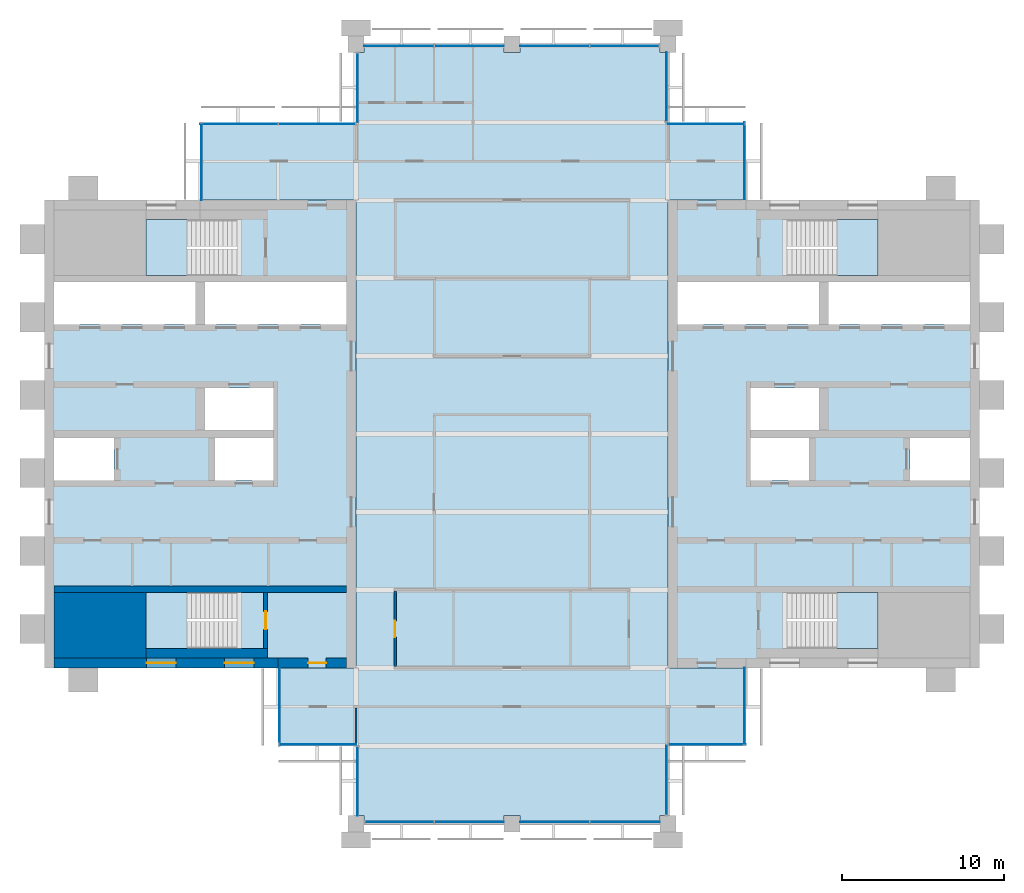
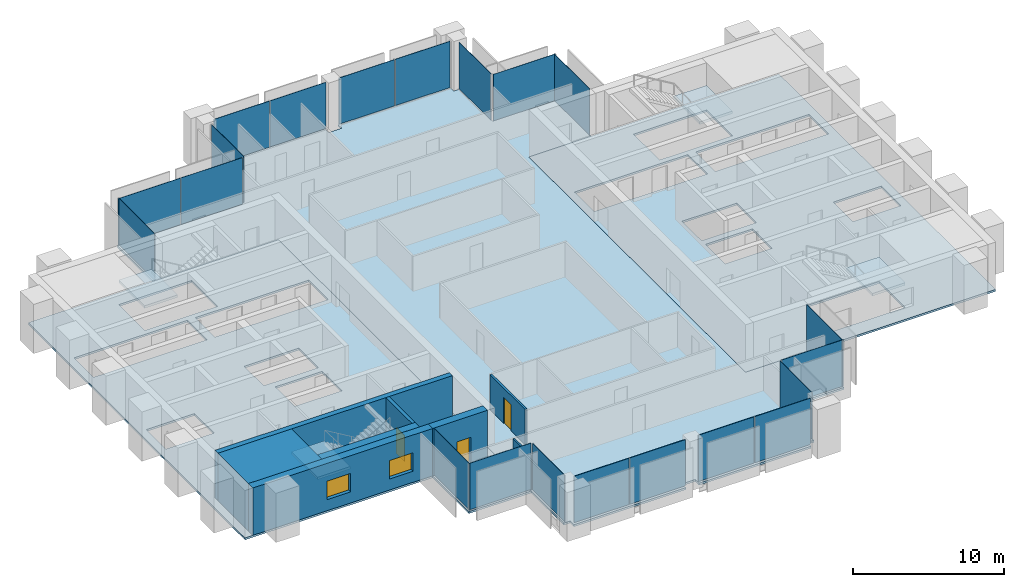
# One storey, part 7 of 12: 21 plates, 8 walls, 7 slabs, 3 doors, 2 windows, 5 openings, 18 elements without a shape of their own.
"""IFC4 building model written with IfcOpenShell, lengths in metres."""

from ifc_helpers import new_model, si_unit, direction, frame, frame_2d, origin, origin_2d, place, context, subcontext, project, spatial, polyline, rectangle, outline, extrude, material, layer, layer_set, type_object, element, fill, aggregate, save


model = new_model("IFC4")

# Units and contexts
model_context = context("Model", 3, precision=1e-05, world=origin(), true_north=direction((0.0, 1.0)))
body_context = subcontext(model_context, "Body", "Model", "MODEL_VIEW")
ifc_project = project(units=[si_unit("LENGTHUNIT", "METRE"), si_unit("AREAUNIT", "SQUARE_METRE"), si_unit("VOLUMEUNIT", "CUBIC_METRE"), si_unit("PLANEANGLEUNIT", "RADIAN"), si_unit("MASSUNIT", "GRAM", prefix="KILO")], contexts=[model_context])

# Site, building, storey
site_placement = place(None, origin())
site = spatial("IfcSite", under=ifc_project, at=site_placement, CompositionType="ELEMENT")
building_placement = place(site_placement, origin())
building = spatial("IfcBuilding", under=site, at=building_placement, Name="Baori Bourse Tower", CompositionType="ELEMENT")
storey_placement = place(building_placement, frame((0.0, 0.0, 286.300048828125)))
storey = spatial("IfcBuildingStorey", under=building, at=storey_placement, Name="L62", CompositionType="ELEMENT", Elevation=286.300048828125)

# Curtain wall, plate
ifc_material_1 = material(Name="Pale anodised aluminium", Category="aluminium")
curtain_wall_type_1 = type_object("IfcCurtainWallType", Name="CW2 Curtain wall", PredefinedType="NOTDEFINED", material=ifc_material_1)
curtain_wall_1_placement = place(storey_placement, origin())
curtain_wall_1 = element("IfcCurtainWall", 1, at=curtain_wall_1_placement, inside=storey, type_object=curtain_wall_type_1, Name="Curtain wall CW2 L62 1", PredefinedType="NOTDEFINED")
ifc_material_2 = material(Name="Clear glass", Category="glass")
ifc_layer_1 = layer(ifc_material_2, 0.030029296875)
ifc_layer_set_1 = layer_set([ifc_layer_1], Name="CW2 Curtain wall panel")
plate_type_1 = type_object("IfcPlateType", Name="CW2 Curtain wall panel", PredefinedType="CURTAIN_PANEL", material=ifc_layer_set_1)
plate_1_placement = place(storey_placement, frame((43.110107421875, 40.827392578125, 0.06982421875), z_axis=(0.0, 0.0, 1.0), x_axis=(0.0, 1.0, 0.0)))
plate_1 = element("IfcPlate", 2, at=plate_1_placement, type_object=plate_type_1, Name="Curtain wall CW2 panel", PredefinedType="CURTAIN_PANEL", context=body_context, shape_type="SweptSolid", body=[
    extrude(rectangle(XDim=4.7451171875, YDim=0.030029296875, at=origin_2d()), origin(), (0.0, 0.0, 1.0), 3.77001953125),
])
aggregate(curtain_wall_1, [plate_1])

curtain_wall_2_placement = place(storey_placement, origin())
curtain_wall_2 = element("IfcCurtainWall", 3, at=curtain_wall_2_placement, inside=storey, type_object=curtain_wall_type_1, Name="Curtain wall CW2 L62 2", PredefinedType="NOTDEFINED")
plate_2_placement = place(storey_placement, frame((40.7724609375, 43.110107421875, 0.06982421875), z_axis=(0.0, 0.0, 1.0), x_axis=(-1.0, 0.0, 0.0)))
plate_2 = element("IfcPlate", 4, at=plate_2_placement, type_object=plate_type_1, Name="Curtain wall CW2 panel", PredefinedType="CURTAIN_PANEL", context=body_context, shape_type="SweptSolid", body=[
    extrude(rectangle(XDim=4.7451171875, YDim=0.030029296875, at=origin_2d()), origin(), (0.0, 0.0, 1.0), 3.77001953125),
])
aggregate(curtain_wall_2, [plate_2])

curtain_wall_3_placement = place(storey_placement, origin())
curtain_wall_3 = element("IfcCurtainWall", 5, at=curtain_wall_3_placement, inside=storey, type_object=curtain_wall_type_1, Name="Curtain wall CW2 L62 3", PredefinedType="NOTDEFINED")
plate_3_placement = place(storey_placement, frame((38.31005859375, 45.37744140625, 0.06982421875), z_axis=(0.0, 0.0, 1.0), x_axis=(0.0, 1.0, 0.0)))
plate_3 = element("IfcPlate", 6, at=plate_3_placement, type_object=plate_type_1, Name="Curtain wall CW2 panel", PredefinedType="CURTAIN_PANEL", context=body_context, shape_type="SweptSolid", body=[
    extrude(rectangle(XDim=4.2451171875, YDim=0.030029296875, at=origin_2d()), origin(), (0.0, 0.0, 1.0), 3.77001953125),
])
aggregate(curtain_wall_3, [plate_3])

curtain_wall_4_placement = place(storey_placement, origin())
curtain_wall_4 = element("IfcCurtainWall", 7, at=curtain_wall_4_placement, inside=storey, type_object=curtain_wall_type_1, Name="Curtain wall CW2 L62 5", PredefinedType="NOTDEFINED")
plate_4_placement = place(storey_placement, frame((19.2900390625, 45.322509765625, 0.06982421875), z_axis=(0.0, 0.0, 1.0), x_axis=(0.0, -1.0, 0.0)))
plate_4 = element("IfcPlate", 8, at=plate_4_placement, type_object=plate_type_1, Name="Curtain wall CW2 panel", PredefinedType="CURTAIN_PANEL", context=body_context, shape_type="SweptSolid", body=[
    extrude(rectangle(XDim=4.2451171875, YDim=0.030029296875, at=origin_2d()), origin(), (0.0, 0.0, 1.0), 3.77001953125),
])
aggregate(curtain_wall_4, [plate_4])

# Curtain wall, plates
curtain_wall_5_placement = place(storey_placement, origin())
curtain_wall_5 = element("IfcCurtainWall", 9, at=curtain_wall_5_placement, inside=storey, type_object=curtain_wall_type_1, Name="Curtain wall CW2 L62 6", PredefinedType="NOTDEFINED")
plate_5_placement = place(storey_placement, frame((16.7861328125, 43.110107421875, 0.06982421875), z_axis=(0.0, 0.0, 1.0), x_axis=(-1.0, 0.0, 0.0)))
plate_5 = element("IfcPlate", 10, at=plate_5_placement, type_object=plate_type_1, Name="Curtain wall CW2 panel", PredefinedType="CURTAIN_PANEL", context=body_context, shape_type="SweptSolid", body=[
    extrude(rectangle(XDim=4.717529296875, YDim=0.030029296875, at=origin_2d()), origin(), (0.0, 0.0, 1.0), 3.77001953125),
])
plate_6_placement = place(storey_placement, frame((11.986328125, 43.110107421875, 0.06982421875), z_axis=(0.0, 0.0, 1.0), x_axis=(-1.0, 0.0, 0.0)))
plate_6 = element("IfcPlate", 11, at=plate_6_placement, type_object=plate_type_1, Name="Curtain wall CW2 panel", PredefinedType="CURTAIN_PANEL", context=body_context, shape_type="SweptSolid", body=[
    extrude(rectangle(XDim=4.7724609375, YDim=0.030029296875, at=origin_2d()), origin(), (0.0, 0.0, 1.0), 3.77001953125),
])
aggregate(curtain_wall_5, [plate_5, plate_6])

# Curtain wall, plate
curtain_wall_6_placement = place(storey_placement, origin())
curtain_wall_6 = element("IfcCurtainWall", 12, at=curtain_wall_6_placement, inside=storey, type_object=curtain_wall_type_1, Name="Curtain wall CW2 L62 7", PredefinedType="NOTDEFINED")
plate_7_placement = place(storey_placement, frame((9.68994140625, 40.7724609375, 0.06982421875), z_axis=(0.0, 0.0, 1.0), x_axis=(0.0, -1.0, 0.0)))
plate_7 = element("IfcPlate", 13, at=plate_7_placement, type_object=plate_type_1, Name="Curtain wall CW2 panel", PredefinedType="CURTAIN_PANEL", context=body_context, shape_type="SweptSolid", body=[
    extrude(rectangle(XDim=4.7451171875, YDim=0.030029296875, at=origin_2d()), origin(), (0.0, 0.0, 1.0), 3.77001953125),
])
aggregate(curtain_wall_6, [plate_7])

curtain_wall_7_placement = place(storey_placement, origin())
curtain_wall_7 = element("IfcCurtainWall", 14, at=curtain_wall_7_placement, inside=storey, type_object=curtain_wall_type_1, Name="Curtain wall CW2 L62 8", PredefinedType="NOTDEFINED")
plate_8_placement = place(storey_placement, frame((14.489990234375, 7.172607421875, 0.06982421875), z_axis=(0.0, 0.0, 1.0), x_axis=(0.0, -1.0, 0.0)))
plate_8 = element("IfcPlate", 15, at=plate_8_placement, type_object=plate_type_1, Name="Curtain wall CW2 panel", PredefinedType="CURTAIN_PANEL", context=body_context, shape_type="SweptSolid", body=[
    extrude(rectangle(XDim=4.7451171875, YDim=0.030029296875, at=origin_2d()), origin(), (0.0, 0.0, 1.0), 3.77001953125),
])
aggregate(curtain_wall_7, [plate_8])

curtain_wall_8_placement = place(storey_placement, origin())
curtain_wall_8 = element("IfcCurtainWall", 16, at=curtain_wall_8_placement, inside=storey, type_object=curtain_wall_type_1, Name="Curtain wall CW2 L62 9", PredefinedType="NOTDEFINED")
plate_9_placement = place(storey_placement, frame((16.827392578125, 4.889892578125, 0.06982421875), z_axis=(0.0, 0.0, 1.0), x_axis=(1.0, 0.0, 0.0)))
plate_9 = element("IfcPlate", 17, at=plate_9_placement, type_object=plate_type_1, Name="Curtain wall CW2 panel", PredefinedType="CURTAIN_PANEL", context=body_context, shape_type="SweptSolid", body=[
    extrude(rectangle(XDim=4.7451171875, YDim=0.030029296875, at=origin_2d()), origin(), (0.0, 0.0, 1.0), 3.77001953125),
])
aggregate(curtain_wall_8, [plate_9])

curtain_wall_9_placement = place(storey_placement, origin())
curtain_wall_9 = element("IfcCurtainWall", 18, at=curtain_wall_9_placement, inside=storey, type_object=curtain_wall_type_1, Name="Curtain wall CW2 L62 10", PredefinedType="NOTDEFINED")
plate_10_placement = place(storey_placement, frame((19.2900390625, 2.62255859375, 0.06982421875), z_axis=(0.0, 0.0, 1.0), x_axis=(0.0, -1.0, 0.0)))
plate_10 = element("IfcPlate", 19, at=plate_10_placement, type_object=plate_type_1, Name="Curtain wall CW2 panel", PredefinedType="CURTAIN_PANEL", context=body_context, shape_type="SweptSolid", body=[
    extrude(rectangle(XDim=4.2451171875, YDim=0.030029296875, at=origin_2d()), origin(), (0.0, 0.0, 1.0), 3.77001953125),
])
aggregate(curtain_wall_9, [plate_10])

curtain_wall_10_placement = place(storey_placement, origin())
curtain_wall_10 = element("IfcCurtainWall", 20, at=curtain_wall_10_placement, inside=storey, type_object=curtain_wall_type_1, Name="Curtain wall CW2 L62 12", PredefinedType="NOTDEFINED")
plate_11_placement = place(storey_placement, frame((38.31005859375, 2.677490234375, 0.06982421875), z_axis=(0.0, 0.0, 1.0), x_axis=(0.0, 1.0, 0.0)))
plate_11 = element("IfcPlate", 21, at=plate_11_placement, type_object=plate_type_1, Name="Curtain wall CW2 panel", PredefinedType="CURTAIN_PANEL", context=body_context, shape_type="SweptSolid", body=[
    extrude(rectangle(XDim=4.2451171875, YDim=0.030029296875, at=origin_2d()), origin(), (0.0, 0.0, 1.0), 3.77001953125),
])
aggregate(curtain_wall_10, [plate_11])

curtain_wall_11_placement = place(storey_placement, origin())
curtain_wall_11 = element("IfcCurtainWall", 22, at=curtain_wall_11_placement, inside=storey, type_object=curtain_wall_type_1, Name="Curtain wall CW2 L62 13", PredefinedType="NOTDEFINED")
plate_12_placement = place(storey_placement, frame((40.827392578125, 4.889892578125, 0.06982421875), z_axis=(0.0, 0.0, 1.0), x_axis=(1.0, 0.0, 0.0)))
plate_12 = element("IfcPlate", 23, at=plate_12_placement, type_object=plate_type_1, Name="Curtain wall CW2 panel", PredefinedType="CURTAIN_PANEL", context=body_context, shape_type="SweptSolid", body=[
    extrude(rectangle(XDim=4.7451171875, YDim=0.030029296875, at=origin_2d()), origin(), (0.0, 0.0, 1.0), 3.77001953125),
])
aggregate(curtain_wall_11, [plate_12])

curtain_wall_12_placement = place(storey_placement, origin())
curtain_wall_12 = element("IfcCurtainWall", 24, at=curtain_wall_12_placement, inside=storey, type_object=curtain_wall_type_1, Name="Curtain wall CW2 L62 14", PredefinedType="NOTDEFINED")
plate_13_placement = place(storey_placement, frame((43.110107421875, 7.2275390625, 0.06982421875), z_axis=(0.0, 0.0, 1.0), x_axis=(0.0, 1.0, 0.0)))
plate_13 = element("IfcPlate", 25, at=plate_13_placement, type_object=plate_type_1, Name="Curtain wall CW2 panel", PredefinedType="CURTAIN_PANEL", context=body_context, shape_type="SweptSolid", body=[
    extrude(rectangle(XDim=4.7451171875, YDim=0.030029296875, at=origin_2d()), origin(), (0.0, 0.0, 1.0), 3.77001953125),
])
aggregate(curtain_wall_12, [plate_13])

# Curtain wall, plates
ifc_material_3 = material(Name="Pale anodised aluminium", Category="aluminium")
curtain_wall_type_2 = type_object("IfcCurtainWallType", Name="CW5 Curtain wall", PredefinedType="NOTDEFINED", material=ifc_material_3)
curtain_wall_13_placement = place(storey_placement, origin())
curtain_wall_13 = element("IfcCurtainWall", 26, at=curtain_wall_13_placement, inside=storey, type_object=curtain_wall_type_2, Name="Curtain wall CW5 L62 4", PredefinedType="NOTDEFINED")
ifc_material_4 = material(Name="Clear glass", Category="glass")
ifc_layer_2 = layer(ifc_material_4, 0.035888671875)
ifc_layer_set_2 = layer_set([ifc_layer_2], Name="CW5 Curtain wall panel")
plate_type_2 = type_object("IfcPlateType", Name="CW5 Curtain wall panel", PredefinedType="CURTAIN_PANEL", material=ifc_layer_set_2)
plate_14_placement = place(storey_placement, frame((35.733642578125, 47.889892578125, 0.0849609375), z_axis=(0.0, 0.0, 1.0), x_axis=(-1.0, 0.0, 0.0)))
plate_14 = element("IfcPlate", 27, at=plate_14_placement, type_object=plate_type_2, Name="Curtain wall CW5 panel", PredefinedType="CURTAIN_PANEL", context=body_context, shape_type="SweptSolid", body=[
    extrude(rectangle(XDim=4.202392578125, YDim=0.035888671875, at=origin_2d()), origin(), (0.0, 0.0, 1.0), 3.7548828125),
])
plate_15_placement = place(storey_placement, frame((31.433837890625, 47.889892578125, 0.0849609375), z_axis=(0.0, 0.0, 1.0), x_axis=(-1.0, 0.0, 0.0)))
plate_15 = element("IfcPlate", 28, at=plate_15_placement, type_object=plate_type_2, Name="Curtain wall CW5 panel", PredefinedType="CURTAIN_PANEL", context=body_context, shape_type="SweptSolid", body=[
    extrude(rectangle(XDim=4.267578125, YDim=0.035888671875, at=origin_2d()), origin(), (0.0, 0.0, 1.0), 3.7548828125),
])
plate_16_placement = place(storey_placement, frame((26.166259765625, 47.889892578125, 0.0849609375), z_axis=(0.0, 0.0, 1.0), x_axis=(-1.0, 0.0, 0.0)))
plate_16 = element("IfcPlate", 29, at=plate_16_placement, type_object=plate_type_2, Name="Curtain wall CW5 panel", PredefinedType="CURTAIN_PANEL", context=body_context, shape_type="SweptSolid", body=[
    extrude(rectangle(XDim=4.267578125, YDim=0.035888671875, at=origin_2d()), origin(), (0.0, 0.0, 1.0), 3.7548828125),
])
plate_17_placement = place(storey_placement, frame((21.833740234375, 47.889892578125, 0.0849609375), z_axis=(0.0, 0.0, 1.0), x_axis=(-1.0, 0.0, 0.0)))
plate_17 = element("IfcPlate", 30, at=plate_17_placement, type_object=plate_type_2, Name="Curtain wall CW5 panel", PredefinedType="CURTAIN_PANEL", context=body_context, shape_type="SweptSolid", body=[
    extrude(rectangle(XDim=4.267578125, YDim=0.035888671875, at=origin_2d()), origin(), (0.0, 0.0, 1.0), 3.7548828125),
])
aggregate(curtain_wall_13, [plate_14, plate_15, plate_16, plate_17])

curtain_wall_14_placement = place(storey_placement, origin())
curtain_wall_14 = element("IfcCurtainWall", 31, at=curtain_wall_14_placement, inside=storey, type_object=curtain_wall_type_2, Name="Curtain wall CW5 L62 11", PredefinedType="NOTDEFINED")
plate_18_placement = place(storey_placement, frame((21.8662109375, 0.110107421875, 0.0849609375), z_axis=(0.0, 0.0, 1.0), x_axis=(1.0, 0.0, 0.0)))
plate_18 = element("IfcPlate", 32, at=plate_18_placement, type_object=plate_type_2, Name="Curtain wall CW5 panel", PredefinedType="CURTAIN_PANEL", context=body_context, shape_type="SweptSolid", body=[
    extrude(rectangle(XDim=4.202392578125, YDim=0.035888671875, at=origin_2d()), origin(), (0.0, 0.0, 1.0), 3.7548828125),
])
plate_19_placement = place(storey_placement, frame((26.166259765625, 0.110107421875, 0.0849609375), z_axis=(0.0, 0.0, 1.0), x_axis=(1.0, 0.0, 0.0)))
plate_19 = element("IfcPlate", 33, at=plate_19_placement, type_object=plate_type_2, Name="Curtain wall CW5 panel", PredefinedType="CURTAIN_PANEL", context=body_context, shape_type="SweptSolid", body=[
    extrude(rectangle(XDim=4.267578125, YDim=0.035888671875, at=origin_2d()), origin(), (0.0, 0.0, 1.0), 3.7548828125),
])
plate_20_placement = place(storey_placement, frame((31.433837890625, 0.110107421875, 0.0849609375), z_axis=(0.0, 0.0, 1.0), x_axis=(1.0, 0.0, 0.0)))
plate_20 = element("IfcPlate", 34, at=plate_20_placement, type_object=plate_type_2, Name="Curtain wall CW5 panel", PredefinedType="CURTAIN_PANEL", context=body_context, shape_type="SweptSolid", body=[
    extrude(rectangle(XDim=4.267578125, YDim=0.035888671875, at=origin_2d()), origin(), (0.0, 0.0, 1.0), 3.7548828125),
])
plate_21_placement = place(storey_placement, frame((35.766357421875, 0.110107421875, 0.0849609375), z_axis=(0.0, 0.0, 1.0), x_axis=(1.0, 0.0, 0.0)))
plate_21 = element("IfcPlate", 35, at=plate_21_placement, type_object=plate_type_2, Name="Curtain wall CW5 panel", PredefinedType="CURTAIN_PANEL", context=body_context, shape_type="SweptSolid", body=[
    extrude(rectangle(XDim=4.267578125, YDim=0.035888671875, at=origin_2d()), origin(), (0.0, 0.0, 1.0), 3.7548828125),
])
aggregate(curtain_wall_14, [plate_18, plate_19, plate_20, plate_21])

# Slabs
ifc_material_5 = material(Name="Concrete f'c 50 MPa", Category="concrete")
ifc_layer_3 = layer(ifc_material_5, 0.159912109375)
ifc_layer_set_3 = layer_set([ifc_layer_3], Name="Core slab 160")
slab_type_1 = type_object("IfcSlabType", Name="Core slab 160", PredefinedType="FLOOR", material=ifc_layer_set_3)
slab_1_placement = place(storey_placement, frame((0.0, 0.0, -0.16015625)))
element("IfcSlab", 36, at=slab_1_placement, inside=storey, type_object=slab_type_1, Name="Core floor slab W01", PredefinedType="FLOOR", context=body_context, shape_type="SweptSolid", body=[
    extrude(outline(polyline([(19.199951171875, 38.39990234375), (0.0, 38.39990234375), (0.0, 9.60009765625), (19.199951171875, 9.60009765625), (19.199951171875, 38.39990234375)]), holes=[polyline([(9.89990234375, 33.35009765625), (18.60009765625, 33.35009765625), (18.60009765625, 30.75), (9.89990234375, 30.75), (9.89990234375, 33.35009765625)]), polyline([(10.5, 21.14990234375), (10.5, 23.75), (14.10009765625, 23.75), (14.10009765625, 21.14990234375), (10.5, 21.14990234375)]), polyline([(14.10009765625, 24.25), (9.89990234375, 24.25), (9.89990234375, 26.85009765625), (14.10009765625, 26.85009765625), (14.10009765625, 24.25)]), polyline([(6.25, 14.25), (11.84912109375, 14.25), (11.84912109375, 10.800048828125), (6.25, 10.800048828125), (6.25, 14.25)]), polyline([(11.84912109375, 37.199951171875), (11.84912109375, 33.75), (6.25, 33.75), (6.25, 37.199951171875), (11.84912109375, 37.199951171875)]), polyline([(0.60009765625, 30.75), (0.60009765625, 33.35009765625), (9.300048828125, 33.35009765625), (9.300048828125, 30.75), (0.60009765625, 30.75)]), polyline([(4.300048828125, 23.75), (4.300048828125, 21.14990234375), (0.60009765625, 21.14990234375), (0.60009765625, 23.75), (4.300048828125, 23.75)])]), origin(), (0.0, 0.0, 1.0), 0.16015625),
])
slab_2_placement = place(storey_placement, frame((0.0, 0.0, -0.16015625)))
element("IfcSlab", 37, at=slab_2_placement, inside=storey, type_object=slab_type_1, Name="Core floor slab E01", PredefinedType="FLOOR", context=body_context, shape_type="SweptSolid", body=[
    extrude(outline(polyline([(57.60009765625, 9.60009765625), (57.60009765625, 38.39990234375), (38.39990234375, 38.39990234375), (38.39990234375, 9.60009765625), (57.60009765625, 9.60009765625)]), holes=[polyline([(48.300048828125, 33.35009765625), (57.0, 33.35009765625), (57.0, 30.75), (48.300048828125, 30.75), (48.300048828125, 33.35009765625)]), polyline([(57.0, 21.14990234375), (53.300048828125, 21.14990234375), (53.300048828125, 23.75), (57.0, 23.75), (57.0, 21.14990234375)]), polyline([(45.750732421875, 14.25), (51.35009765625, 14.25), (51.35009765625, 10.800048828125), (45.750732421875, 10.800048828125), (45.750732421875, 14.25)]), polyline([(51.35009765625, 37.199951171875), (51.35009765625, 33.75), (45.750732421875, 33.75), (45.750732421875, 37.199951171875), (51.35009765625, 37.199951171875)]), polyline([(43.5, 24.25), (43.5, 26.85009765625), (47.699951171875, 26.85009765625), (47.699951171875, 24.25), (43.5, 24.25)]), polyline([(47.699951171875, 33.35009765625), (47.699951171875, 30.75), (39.0, 30.75), (39.0, 33.35009765625), (47.699951171875, 33.35009765625)]), polyline([(43.5, 23.75), (47.10009765625, 23.75), (47.10009765625, 21.14990234375), (43.5, 21.14990234375), (43.5, 23.75)])]), origin(), (0.0, 0.0, 1.0), 0.16015625),
])

# Stair, slab
ifc_material_6 = material(Name="Concrete f'c 50 MPa", Category="concrete")
stair_type = type_object("IfcStairType", Name="Core stair", PredefinedType="HALF_TURN_STAIR", material=ifc_material_6)
stair_1_placement = place(storey_placement, origin())
stair_1 = element("IfcStair", 38, at=stair_1_placement, inside=storey, type_object=stair_type, Name="L62 Stair WA", PredefinedType="HALF_TURN_STAIR")
ifc_material_7 = material(Name="Concrete f'c 50 MPa", Category="concrete")
slab_type_2 = type_object("IfcSlabType", Name="Core stair landing", PredefinedType="LANDING", material=ifc_material_7)
slab_3_placement = place(storey_placement, frame((0.0, 0.0, 1.800048828125)))
slab_3 = element("IfcSlab", 39, at=slab_3_placement, type_object=slab_type_2, Name="ST1 landing 1", PredefinedType="LANDING", context=body_context, shape_type="SweptSolid", body=[
    extrude(outline(polyline([(8.77001953125, 14.25), (6.25, 14.25), (6.25, 10.800048828125), (8.77001953125, 10.800048828125), (8.77001953125, 14.25)])), origin(), (0.0, 0.0, 1.0), 0.199951171875),
])
aggregate(stair_1, [slab_3])

stair_2_placement = place(storey_placement, origin())
stair_2 = element("IfcStair", 40, at=stair_2_placement, inside=storey, type_object=stair_type, Name="L62 Stair WB", PredefinedType="HALF_TURN_STAIR")
slab_4_placement = place(storey_placement, frame((0.0, 0.0, 1.800048828125)))
slab_4 = element("IfcSlab", 41, at=slab_4_placement, type_object=slab_type_2, Name="ST2 landing 1", PredefinedType="LANDING", context=body_context, shape_type="SweptSolid", body=[
    extrude(outline(polyline([(8.77001953125, 37.199951171875), (6.25, 37.199951171875), (6.25, 33.75), (8.77001953125, 33.75), (8.77001953125, 37.199951171875)])), origin(), (0.0, 0.0, 1.0), 0.199951171875),
])
aggregate(stair_2, [slab_4])

stair_3_placement = place(storey_placement, origin())
stair_3 = element("IfcStair", 42, at=stair_3_placement, inside=storey, type_object=stair_type, Name="L62 Stair EA", PredefinedType="HALF_TURN_STAIR")
slab_5_placement = place(storey_placement, frame((0.0, 0.0, 1.800048828125)))
slab_5 = element("IfcSlab", 43, at=slab_5_placement, type_object=slab_type_2, Name="ST3 landing 1", PredefinedType="LANDING", context=body_context, shape_type="SweptSolid", body=[
    extrude(outline(polyline([(48.830078125, 10.800048828125), (51.35009765625, 10.800048828125), (51.35009765625, 14.25), (48.830078125, 14.25), (48.830078125, 10.800048828125)])), origin(), (0.0, 0.0, 1.0), 0.199951171875),
])
aggregate(stair_3, [slab_5])

stair_4_placement = place(storey_placement, origin())
stair_4 = element("IfcStair", 44, at=stair_4_placement, inside=storey, type_object=stair_type, Name="L62 Stair EB", PredefinedType="HALF_TURN_STAIR")
slab_6_placement = place(storey_placement, frame((0.0, 0.0, 1.800048828125)))
slab_6 = element("IfcSlab", 45, at=slab_6_placement, type_object=slab_type_2, Name="ST4 landing 1", PredefinedType="LANDING", context=body_context, shape_type="SweptSolid", body=[
    extrude(outline(polyline([(48.830078125, 33.75), (51.35009765625, 33.75), (51.35009765625, 37.199951171875), (48.830078125, 37.199951171875), (48.830078125, 33.75)])), origin(), (0.0, 0.0, 1.0), 0.199951171875),
])
aggregate(stair_4, [slab_6])

# Slab
ifc_material_8 = material(Name="Concrete f'c 40 MPa", Category="concrete")
ifc_layer_4 = layer(ifc_material_8, 0.159912109375)
ifc_layer_set_4 = layer_set([ifc_layer_4], Name="Floor slab 160")
slab_type_3 = type_object("IfcSlabType", Name="Floor slab 160", PredefinedType="FLOOR", material=ifc_layer_set_4)
slab_7_placement = place(storey_placement, frame((0.0, 0.0, -0.16015625)))
element("IfcSlab", 46, at=slab_7_placement, inside=storey, type_object=slab_type_3, Name="Floor slab L62", PredefinedType="FLOOR", context=body_context, shape_type="SweptSolid", body=[
    extrude(outline(polyline([(19.199951171875, 4.800048828125), (14.39990234375, 4.800048828125), (14.39990234375, 9.60009765625), (19.199951171875, 9.60009765625), (19.199951171875, 38.39990234375), (9.60009765625, 38.39990234375), (9.60009765625, 43.199951171875), (19.199951171875, 43.199951171875), (19.199951171875, 47.5), (19.699951171875, 47.5), (19.699951171875, 48.0), (28.300048828125, 48.0), (28.300048828125, 47.5), (29.300048828125, 47.5), (29.300048828125, 48.0), (37.89990234375, 48.0), (37.89990234375, 47.5), (38.39990234375, 47.5), (38.39990234375, 43.199951171875), (43.199951171875, 43.199951171875), (43.199951171875, 38.39990234375), (38.39990234375, 38.39990234375), (38.39990234375, 9.60009765625), (43.199951171875, 9.60009765625), (43.199951171875, 4.800048828125), (38.39990234375, 4.800048828125), (38.39990234375, 0.5), (37.89990234375, 0.5), (37.89990234375, 0.0), (29.300048828125, 0.0), (29.300048828125, 0.5), (28.300048828125, 0.5), (28.300048828125, 0.0), (19.699951171875, 0.0), (19.699951171875, 0.5), (19.199951171875, 0.5), (19.199951171875, 4.800048828125)])), origin(), (0.0, 0.0, 1.0), 0.16015625),
])

# Wall
ifc_material_9 = material(Name="Concrete f'c 40 MPa", Category="concrete")
wall_type_1 = type_object("IfcWallType", Name="Core corner block f'c 40", PredefinedType="SHEAR", material=ifc_material_9)
wall_1_placement = place(storey_placement, frame((0.60009765625, 12.22509765625, 0.0), z_axis=(0.0, 0.0, 1.0), x_axis=(1.0, 0.0, 0.0)))
element("IfcWall", 47, at=wall_1_placement, inside=storey, type_object=wall_type_1, Name="Core wall W05", PredefinedType="SHEAR", context=body_context, shape_type="SweptSolid", body=[
    extrude(rectangle(XDim=5.64990234375, YDim=4.050048828125, at=frame_2d((2.824951171875, 0.0))), origin(), (0.0, 0.0, 1.0), 3.83984375),
])

# Wall, openings, windows
ifc_material_10 = material(Name="Concrete f'c 40 MPa", Category="concrete")
ifc_layer_5 = layer(ifc_material_10, 0.60009765625)
ifc_layer_set_5 = layer_set([ifc_layer_5], Name="Core wall 600 f'c 40")
wall_type_2 = type_object("IfcWallType", Name="Core wall 600 f'c 40", PredefinedType="SHEAR", material=ifc_layer_set_5)
wall_2_placement = place(storey_placement, frame((14.39990234375, 9.89990234375, 0.0), z_axis=(0.0, 0.0, 1.0), x_axis=(-1.0, 0.0, 0.0)))
wall_2 = element("IfcWall", 48, at=wall_2_placement, inside=storey, type_object=wall_type_2, Name="Core wall W02", PredefinedType="SHEAR", context=body_context, shape_type="SweptSolid", body=[
    extrude(rectangle(XDim=13.7998046875, YDim=0.60009765625, at=frame_2d((6.89990234375, 0.0))), origin(), (0.0, 0.0, 1.0), 3.83984375),
])
opening_1_placement = place(wall_2_placement, frame((6.300048828125, 0.0, 0.89990234375)))
opening_1 = element("IfcOpeningElement", 49, at=opening_1_placement, cuts=wall_2, Name="Opening L62-KW103", PredefinedType="OPENING", context=body_context, shape_type="SweptSolid", body=[
    extrude(rectangle(XDim=1.800048828125, YDim=1.5, at=frame_2d((0.89990234375, 0.75))), frame((0.0, 0.31005859375, 0.0), z_axis=(0.0, -1.0, 0.0), x_axis=(1.0, 0.0, 0.0)), (0.0, 0.0, 1.0), 0.6201171875),
])
opening_2_placement = place(wall_2_placement, frame((1.5, 0.0, 0.89990234375)))
opening_2 = element("IfcOpeningElement", 50, at=opening_2_placement, cuts=wall_2, Name="Opening L62-KW104", PredefinedType="OPENING", context=body_context, shape_type="SweptSolid", body=[
    extrude(rectangle(XDim=1.800048828125, YDim=1.5, at=frame_2d((0.89990234375, 0.75))), frame((0.0, 0.31005859375, 0.0), z_axis=(0.0, -1.0, 0.0), x_axis=(1.0, 0.0, 0.0)), (0.0, 0.0, 1.0), 0.6201171875),
])
ifc_material_11 = material(Name="Pale anodised aluminium", Category="aluminium")
window_type = type_object("IfcWindowType", Name="Stair window 1800 x 1500", PartitioningType="SINGLE_PANEL", PredefinedType="WINDOW", material=ifc_material_11)
window_1_placement = place(opening_1_placement, origin())
window_1 = element("IfcWindow", 51, at=window_1_placement, inside=storey, type_object=window_type, Name="Stair window W L62 3", OverallHeight=1.5, OverallWidth=1.800048828125, PartitioningType="SINGLE_PANEL", PredefinedType="WINDOW", context=body_context, shape_type="SweptSolid", body=[
    extrude(rectangle(XDim=1.800048828125, YDim=1.5, at=frame_2d((0.89990234375, 0.75))), frame((0.0, 0.030029296875, 0.0), z_axis=(0.0, -1.0, 0.0), x_axis=(1.0, 0.0, 0.0)), (0.0, 0.0, 1.0), 0.06005859375),
])
fill(opening_1, window_1)
window_2_placement = place(opening_2_placement, origin())
window_2 = element("IfcWindow", 52, at=window_2_placement, inside=storey, type_object=window_type, Name="Stair window W L62 4", OverallHeight=1.5, OverallWidth=1.800048828125, PartitioningType="SINGLE_PANEL", PredefinedType="WINDOW", context=body_context, shape_type="SweptSolid", body=[
    extrude(rectangle(XDim=1.800048828125, YDim=1.5, at=frame_2d((0.89990234375, 0.75))), frame((0.0, 0.030029296875, 0.0), z_axis=(0.0, -1.0, 0.0), x_axis=(1.0, 0.0, 0.0)), (0.0, 0.0, 1.0), 0.06005859375),
])
fill(opening_2, window_2)

# Wall, opening, door
wall_3_placement = place(storey_placement, frame((18.60009765625, 9.89990234375, 0.0), z_axis=(0.0, 0.0, 1.0), x_axis=(-1.0, 0.0, 0.0)))
wall_3 = element("IfcWall", 53, at=wall_3_placement, inside=storey, type_object=wall_type_2, Name="Core wall W03", PredefinedType="SHEAR", context=body_context, shape_type="SweptSolid", body=[
    extrude(rectangle(XDim=4.2001953125, YDim=0.60009765625, at=frame_2d((2.10009765625, 0.0))), origin(), (0.0, 0.0, 1.0), 3.83984375),
])
opening_3_placement = place(wall_3_placement, frame((1.25, 0.0, 0.0)))
opening_3 = element("IfcOpeningElement", 54, at=opening_3_placement, cuts=wall_3, Name="Opening L62-D102", PredefinedType="OPENING", context=body_context, shape_type="SweptSolid", body=[
    extrude(rectangle(XDim=1.10009765625, YDim=2.10009765625, at=frame_2d((0.550048828125, 1.050048828125))), frame((0.0, 0.31005859375, 0.0), z_axis=(0.0, -1.0, 0.0), x_axis=(1.0, 0.0, 0.0)), (0.0, 0.0, 1.0), 0.6201171875),
])
ifc_material_12 = material(Name="Painted steel door", Category="steel")
door_type_1 = type_object("IfcDoorType", Name="Stair door 1100", OperationType="SINGLE_SWING_LEFT", PredefinedType="DOOR", material=ifc_material_12)
door_1_placement = place(opening_3_placement, origin())
door_1 = element("IfcDoor", 55, at=door_1_placement, inside=storey, type_object=door_type_1, Name="Stair vestibule door A W L62", OperationType="SINGLE_SWING_LEFT", OverallHeight=2.10009765625, OverallWidth=1.10009765625, PredefinedType="DOOR", context=body_context, shape_type="SweptSolid", body=[
    extrude(rectangle(XDim=1.10009765625, YDim=2.10009765625, at=frame_2d((0.550048828125, 1.050048828125))), frame((0.0, 0.02490234375, 0.0), z_axis=(0.0, -1.0, 0.0), x_axis=(1.0, 0.0, 0.0)), (0.0, 0.0, 1.0), 0.050048828125),
])
fill(opening_3, door_1)

ifc_material_13 = material(Name="Gypsum board partition")
ifc_layer_6 = layer(ifc_material_13, 0.14990234375)
ifc_layer_set_6 = layer_set([ifc_layer_6], Name="Corridor partition 150")
wall_type_3 = type_object("IfcWallType", Name="Corridor partition 150", PredefinedType="PARTITIONING", material=ifc_layer_set_6)
wall_4_placement = place(storey_placement, frame((21.60009765625, 9.675048828125, 0.0), z_axis=(0.0, 0.0, 1.0), x_axis=(0.0, 1.0, 0.0)))
wall_4 = element("IfcWall", 56, at=wall_4_placement, inside=storey, type_object=wall_type_3, Name="Partition", PredefinedType="PARTITIONING", context=body_context, shape_type="SweptSolid", body=[
    extrude(rectangle(XDim=4.64990234375, YDim=0.14990234375, at=frame_2d((2.324951171875, 0.0))), origin(), (0.0, 0.0, 1.0), 2.849365234375),
])
opening_4_placement = place(wall_4_placement, frame((1.824951171875, 0.0, 0.0)))
opening_4 = element("IfcOpeningElement", 57, at=opening_4_placement, cuts=wall_4, Name="Opening L62-D14", PredefinedType="OPENING", context=body_context, shape_type="SweptSolid", body=[
    extrude(rectangle(XDim=1.0, YDim=2.10009765625, at=frame_2d((0.5, 1.050048828125))), frame((0.0, 0.0849609375, 0.0), z_axis=(0.0, -1.0, 0.0), x_axis=(1.0, 0.0, 0.0)), (0.0, 0.0, 1.0), 0.169921875),
])
ifc_material_14 = material(Name="Timber door leaf", Category="wood")
door_type_2 = type_object("IfcDoorType", Name="Door 1000 x 2100", OperationType="SINGLE_SWING_LEFT", PredefinedType="DOOR", material=ifc_material_14)
door_2_placement = place(opening_4_placement, origin())
door_2 = element("IfcDoor", 58, at=door_2_placement, inside=storey, type_object=door_type_2, Name="Door", OperationType="SINGLE_SWING_LEFT", OverallHeight=2.10009765625, OverallWidth=1.0, PredefinedType="DOOR", context=body_context, shape_type="SweptSolid", body=[
    extrude(rectangle(XDim=1.0, YDim=2.10009765625, at=frame_2d((0.5, 1.050048828125))), frame((0.0, 0.02490234375, 0.0), z_axis=(0.0, -1.0, 0.0), x_axis=(1.0, 0.0, 0.0)), (0.0, 0.0, 1.0), 0.050048828125),
])
fill(opening_4, door_2)

# Wall
ifc_material_15 = material(Name="Gypsum board partition")
ifc_layer_7 = layer(ifc_material_15, 0.125)
ifc_layer_set_7 = layer_set([ifc_layer_7], Name="Partition 125")
wall_type_4 = type_object("IfcWallType", Name="Partition 125", PredefinedType="PARTITIONING", material=ifc_layer_set_7)
wall_5_placement = place(storey_placement, frame((19.199951171875, 4.89990234375, 0.0), z_axis=(0.0, 0.0, 1.0), x_axis=(0.0, 1.0, 0.0)))
element("IfcWall", 59, at=wall_5_placement, inside=storey, type_object=wall_type_4, Name="Partition", PredefinedType="PARTITIONING", context=body_context, shape_type="SweptSolid", body=[
    extrude(rectangle(XDim=2.22509765625, YDim=0.125, at=frame_2d((1.112548828125, 0.0))), origin(), (0.0, 0.0, 1.0), 2.849365234375),
])

# Wall, opening, door
ifc_material_16 = material(Name="Concrete f'c 40 MPa", Category="concrete")
ifc_layer_8 = layer(ifc_material_16, 0.25)
ifc_layer_set_8 = layer_set([ifc_layer_8], Name="Shaft wall 250 f'c 40")
wall_type_5 = type_object("IfcWallType", Name="Shaft wall 250 f'c 40", PredefinedType="SHEAR", material=ifc_layer_set_8)
wall_6_placement = place(storey_placement, frame((13.625, 10.800048828125, 0.0), z_axis=(0.0, 0.0, 1.0), x_axis=(0.0, 1.0, 0.0)))
wall_6 = element("IfcWall", 60, at=wall_6_placement, inside=storey, type_object=wall_type_5, Name="Core wall W07", PredefinedType="SHEAR", context=body_context, shape_type="SweptSolid", body=[
    extrude(rectangle(XDim=3.449951171875, YDim=0.25, at=frame_2d((1.72509765625, 0.0))), origin(), (0.0, 0.0, 1.0), 3.83984375),
])
opening_5_placement = place(wall_6_placement, frame((1.175048828125, 0.0, 0.0)))
opening_5 = element("IfcOpeningElement", 61, at=opening_5_placement, cuts=wall_6, Name="Opening L62-D101", PredefinedType="OPENING", context=body_context, shape_type="SweptSolid", body=[
    extrude(rectangle(XDim=1.10009765625, YDim=2.10009765625, at=frame_2d((0.550048828125, 1.050048828125))), frame((0.0, 0.135009765625, 0.0), z_axis=(0.0, -1.0, 0.0), x_axis=(1.0, 0.0, 0.0)), (0.0, 0.0, 1.0), 0.27001953125),
])
door_3_placement = place(opening_5_placement, origin())
door_3 = element("IfcDoor", 62, at=door_3_placement, inside=storey, type_object=door_type_1, Name="Stair door A W L62", OperationType="SINGLE_SWING_LEFT", OverallHeight=2.10009765625, OverallWidth=1.10009765625, PredefinedType="DOOR", context=body_context, shape_type="SweptSolid", body=[
    extrude(rectangle(XDim=1.10009765625, YDim=2.10009765625, at=frame_2d((0.550048828125, 1.050048828125))), frame((0.0, 0.02490234375, 0.0), z_axis=(0.0, -1.0, 0.0), x_axis=(1.0, 0.0, 0.0)), (0.0, 0.0, 1.0), 0.050048828125),
])
fill(opening_5, door_3)

# Walls
ifc_material_17 = material(Name="Concrete f'c 40 MPa", Category="concrete")
ifc_layer_9 = layer(ifc_material_17, 0.39990234375)
ifc_layer_set_9 = layer_set([ifc_layer_9], Name="Shaft wall 400 f'c 40")
wall_type_6 = type_object("IfcWallType", Name="Shaft wall 400 f'c 40", PredefinedType="SHEAR", material=ifc_layer_set_9)
wall_7_placement = place(storey_placement, frame((0.60009765625, 14.449951171875, 0.0), z_axis=(0.0, 0.0, 1.0), x_axis=(1.0, 0.0, 0.0)))
element("IfcWall", 63, at=wall_7_placement, inside=storey, type_object=wall_type_6, Name="Core wall W08", PredefinedType="SHEAR", context=body_context, shape_type="SweptSolid", body=[
    extrude(rectangle(XDim=18.0, YDim=0.39990234375, at=frame_2d((9.0, 0.0))), origin(), (0.0, 0.0, 1.0), 3.83984375),
])
ifc_material_18 = material(Name="Concrete f'c 40 MPa", Category="concrete")
ifc_layer_10 = layer(ifc_material_18, 0.60009765625)
ifc_layer_set_10 = layer_set([ifc_layer_10], Name="Shaft wall 600 f'c 40")
wall_type_7 = type_object("IfcWallType", Name="Shaft wall 600 f'c 40", PredefinedType="SHEAR", material=ifc_layer_set_10)
wall_8_placement = place(storey_placement, frame((6.25, 10.5, 0.0), z_axis=(0.0, 0.0, 1.0), x_axis=(1.0, 0.0, 0.0)))
element("IfcWall", 64, at=wall_8_placement, inside=storey, type_object=wall_type_7, Name="Core wall W06", PredefinedType="SHEAR", context=body_context, shape_type="SweptSolid", body=[
    extrude(rectangle(XDim=7.5, YDim=0.60009765625, at=frame_2d((3.75, 0.0))), origin(), (0.0, 0.0, 1.0), 3.83984375),
])

save(model, "model.ifc")
